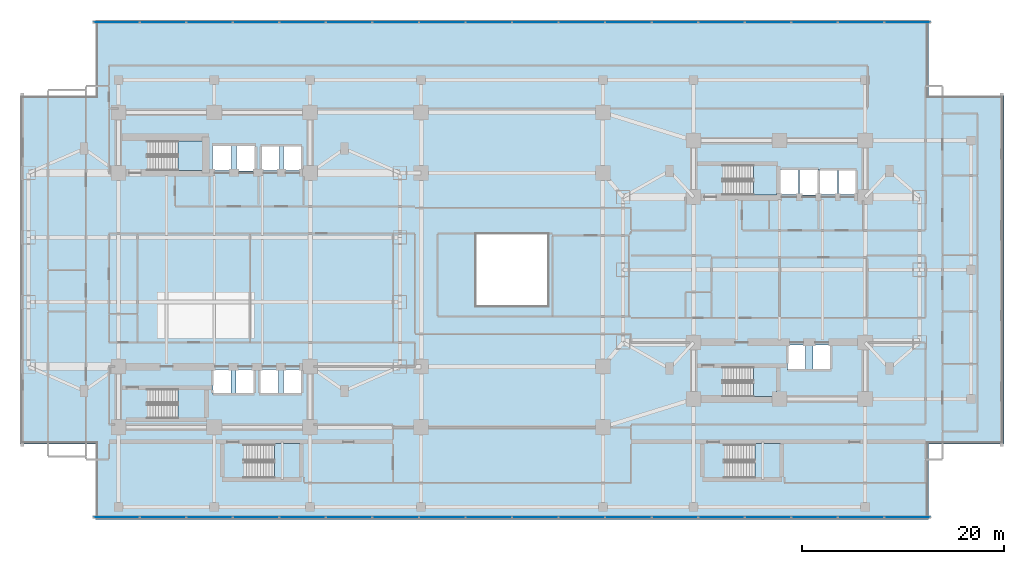
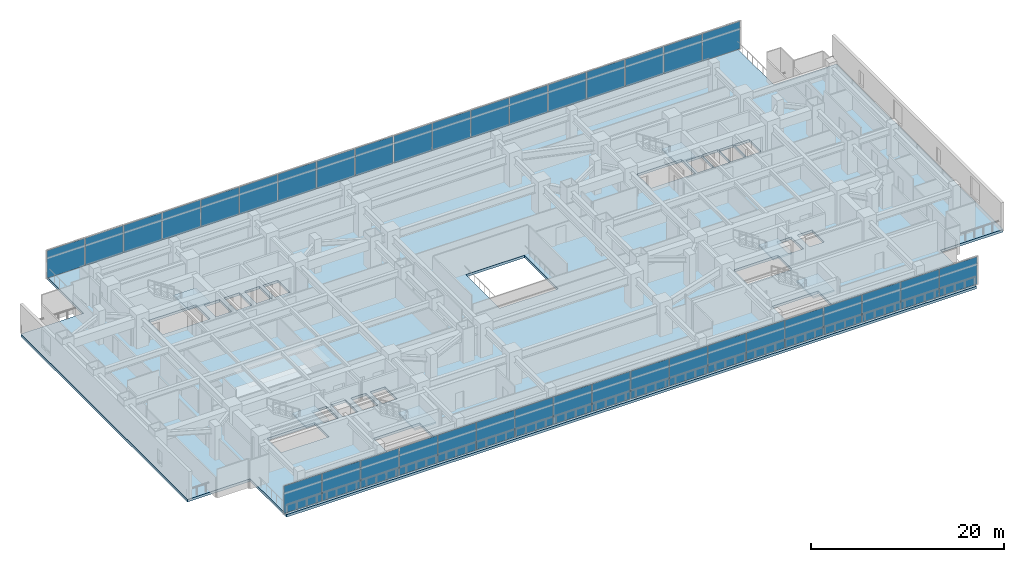
# One storey, part 11 of 26: 36 plates, 7 slabs, 8 elements without a shape of their own.
"""IFC4 building model written with IfcOpenShell, lengths in metres."""

from ifc_helpers import new_model, si_unit, direction, frame, origin, origin_2d, place, context, subcontext, project, spatial, polyline, rectangle, outline, extrude, material, layer, layer_set, type_object, element, aggregate, save


model = new_model("IFC4")

# Units and contexts
model_context = context("Model", 3, precision=1e-05, world=origin(), true_north=direction((0.0, 1.0)))
body_context = subcontext(model_context, "Body", "Model", "MODEL_VIEW")
ifc_project = project(units=[si_unit("LENGTHUNIT", "METRE"), si_unit("AREAUNIT", "SQUARE_METRE"), si_unit("VOLUMEUNIT", "CUBIC_METRE"), si_unit("PLANEANGLEUNIT", "RADIAN"), si_unit("MASSUNIT", "GRAM", prefix="KILO")], contexts=[model_context])

# Site, building, storey
site_placement = place(None, origin())
site = spatial("IfcSite", under=ifc_project, at=site_placement, CompositionType="ELEMENT")
building_placement = place(site_placement, origin())
building = spatial("IfcBuilding", under=site, at=building_placement, Name="Mirazonda Arch Towers", CompositionType="ELEMENT")
storey_placement = place(building_placement, frame((0.0, 0.0, 13.800048828125)))
storey = spatial("IfcBuildingStorey", under=building, at=storey_placement, Name="L03", CompositionType="ELEMENT", Elevation=13.800048828125)

# Curtain wall, plates
ifc_material_1 = material(Name="Anodised Aluminium and Low-E Glass", Category="aluminium")
curtain_wall_type = type_object("IfcCurtainWallType", Name="CW-POD-STORE", PredefinedType="NOTDEFINED", material=ifc_material_1)
curtain_wall_1_placement = place(storey_placement, origin())
curtain_wall_1 = element("IfcCurtainWall", 1, at=curtain_wall_1_placement, inside=storey, type_object=curtain_wall_type, Name="L03 Curtain Wall CW-L03-S1", PredefinedType="NOTDEFINED")
ifc_material_2 = material(Name="Insulated Low-E Solar Glass", Category="glass")
ifc_layer_1 = layer(ifc_material_2, 0.028076171875, Name="PAN-CW-POD-STORE")
ifc_layer_set_1 = layer_set([ifc_layer_1], Name="Insulated Low-E Solar Glass")
plate_type = type_object("IfcPlateType", Name="PAN-CW-POD-STORE", PredefinedType="CURTAIN_PANEL", material=ifc_layer_set_1)
plate_1_placement = place(storey_placement, frame((89.174560546875, 3.469970703125, 0.080078125), z_axis=(0.0, 0.0, 1.0), x_axis=(-1.0, 0.0, 0.0)))
plate_1 = element("IfcPlate", 2, at=plate_1_placement, type_object=plate_type, Name="CW-102 panel 1.1", PredefinedType="CURTAIN_PANEL", context=body_context, shape_type="SweptSolid", body=[
    extrude(rectangle(XDim=4.4912109375, YDim=0.028076171875, at=origin_2d()), origin(), (0.0, 0.0, 1.0), 3.469970703125),
])
plate_2_placement = place(storey_placement, frame((84.583251953125, 3.469970703125, 0.080078125), z_axis=(0.0, 0.0, 1.0), x_axis=(-1.0, 0.0, 0.0)))
plate_2 = element("IfcPlate", 3, at=plate_2_placement, type_object=plate_type, Name="CW-102 panel 2.1", PredefinedType="CURTAIN_PANEL", context=body_context, shape_type="SweptSolid", body=[
    extrude(rectangle(XDim=4.531005859375, YDim=0.028076171875, at=origin_2d()), origin(), (0.0, 0.0, 1.0), 3.469970703125),
])
plate_3_placement = place(storey_placement, frame((79.97216796875, 3.469970703125, 0.080078125), z_axis=(0.0, 0.0, 1.0), x_axis=(-1.0, 0.0, 0.0)))
plate_3 = element("IfcPlate", 4, at=plate_3_placement, type_object=plate_type, Name="CW-102 panel 3.1", PredefinedType="CURTAIN_PANEL", context=body_context, shape_type="SweptSolid", body=[
    extrude(rectangle(XDim=4.531005859375, YDim=0.028076171875, at=origin_2d()), origin(), (0.0, 0.0, 1.0), 3.469970703125),
])
plate_4_placement = place(storey_placement, frame((75.361083984375, 3.469970703125, 0.080078125), z_axis=(0.0, 0.0, 1.0), x_axis=(-1.0, 0.0, 0.0)))
plate_4 = element("IfcPlate", 5, at=plate_4_placement, type_object=plate_type, Name="CW-102 panel 4.1", PredefinedType="CURTAIN_PANEL", context=body_context, shape_type="SweptSolid", body=[
    extrude(rectangle(XDim=4.531005859375, YDim=0.028076171875, at=origin_2d()), origin(), (0.0, 0.0, 1.0), 3.469970703125),
])
plate_5_placement = place(storey_placement, frame((70.75, 3.469970703125, 0.080078125), z_axis=(0.0, 0.0, 1.0), x_axis=(-1.0, 0.0, 0.0)))
plate_5 = element("IfcPlate", 6, at=plate_5_placement, type_object=plate_type, Name="CW-102 panel 5.1", PredefinedType="CURTAIN_PANEL", context=body_context, shape_type="SweptSolid", body=[
    extrude(rectangle(XDim=4.531005859375, YDim=0.028076171875, at=origin_2d()), origin(), (0.0, 0.0, 1.0), 3.469970703125),
])
plate_6_placement = place(storey_placement, frame((66.138916015625, 3.469970703125, 0.080078125), z_axis=(0.0, 0.0, 1.0), x_axis=(-1.0, 0.0, 0.0)))
plate_6 = element("IfcPlate", 7, at=plate_6_placement, type_object=plate_type, Name="CW-102 panel 6.1", PredefinedType="CURTAIN_PANEL", context=body_context, shape_type="SweptSolid", body=[
    extrude(rectangle(XDim=4.531005859375, YDim=0.028076171875, at=origin_2d()), origin(), (0.0, 0.0, 1.0), 3.469970703125),
])
plate_7_placement = place(storey_placement, frame((61.52783203125, 3.469970703125, 0.080078125), z_axis=(0.0, 0.0, 1.0), x_axis=(-1.0, 0.0, 0.0)))
plate_7 = element("IfcPlate", 8, at=plate_7_placement, type_object=plate_type, Name="CW-102 panel 7.1", PredefinedType="CURTAIN_PANEL", context=body_context, shape_type="SweptSolid", body=[
    extrude(rectangle(XDim=4.531005859375, YDim=0.028076171875, at=origin_2d()), origin(), (0.0, 0.0, 1.0), 3.469970703125),
])
plate_8_placement = place(storey_placement, frame((56.916748046875, 3.469970703125, 0.080078125), z_axis=(0.0, 0.0, 1.0), x_axis=(-1.0, 0.0, 0.0)))
plate_8 = element("IfcPlate", 9, at=plate_8_placement, type_object=plate_type, Name="CW-102 panel 8.1", PredefinedType="CURTAIN_PANEL", context=body_context, shape_type="SweptSolid", body=[
    extrude(rectangle(XDim=4.531005859375, YDim=0.028076171875, at=origin_2d()), origin(), (0.0, 0.0, 1.0), 3.469970703125),
])
plate_9_placement = place(storey_placement, frame((52.3056640625, 3.469970703125, 0.080078125), z_axis=(0.0, 0.0, 1.0), x_axis=(-1.0, 0.0, 0.0)))
plate_9 = element("IfcPlate", 10, at=plate_9_placement, type_object=plate_type, Name="CW-102 panel 9.1", PredefinedType="CURTAIN_PANEL", context=body_context, shape_type="SweptSolid", body=[
    extrude(rectangle(XDim=4.531005859375, YDim=0.028076171875, at=origin_2d()), origin(), (0.0, 0.0, 1.0), 3.469970703125),
])
plate_10_placement = place(storey_placement, frame((47.6943359375, 3.469970703125, 0.080078125), z_axis=(0.0, 0.0, 1.0), x_axis=(-1.0, 0.0, 0.0)))
plate_10 = element("IfcPlate", 11, at=plate_10_placement, type_object=plate_type, Name="CW-102 panel 10.1", PredefinedType="CURTAIN_PANEL", context=body_context, shape_type="SweptSolid", body=[
    extrude(rectangle(XDim=4.531005859375, YDim=0.028076171875, at=origin_2d()), origin(), (0.0, 0.0, 1.0), 3.469970703125),
])
plate_11_placement = place(storey_placement, frame((43.083251953125, 3.469970703125, 0.080078125), z_axis=(0.0, 0.0, 1.0), x_axis=(-1.0, 0.0, 0.0)))
plate_11 = element("IfcPlate", 12, at=plate_11_placement, type_object=plate_type, Name="CW-102 panel 11.1", PredefinedType="CURTAIN_PANEL", context=body_context, shape_type="SweptSolid", body=[
    extrude(rectangle(XDim=4.531005859375, YDim=0.028076171875, at=origin_2d()), origin(), (0.0, 0.0, 1.0), 3.469970703125),
])
plate_12_placement = place(storey_placement, frame((38.47216796875, 3.469970703125, 0.080078125), z_axis=(0.0, 0.0, 1.0), x_axis=(-1.0, 0.0, 0.0)))
plate_12 = element("IfcPlate", 13, at=plate_12_placement, type_object=plate_type, Name="CW-102 panel 12.1", PredefinedType="CURTAIN_PANEL", context=body_context, shape_type="SweptSolid", body=[
    extrude(rectangle(XDim=4.531005859375, YDim=0.028076171875, at=origin_2d()), origin(), (0.0, 0.0, 1.0), 3.469970703125),
])
plate_13_placement = place(storey_placement, frame((33.861083984375, 3.469970703125, 0.080078125), z_axis=(0.0, 0.0, 1.0), x_axis=(-1.0, 0.0, 0.0)))
plate_13 = element("IfcPlate", 14, at=plate_13_placement, type_object=plate_type, Name="CW-102 panel 13.1", PredefinedType="CURTAIN_PANEL", context=body_context, shape_type="SweptSolid", body=[
    extrude(rectangle(XDim=4.531005859375, YDim=0.028076171875, at=origin_2d()), origin(), (0.0, 0.0, 1.0), 3.469970703125),
])
plate_14_placement = place(storey_placement, frame((29.25, 3.469970703125, 0.080078125), z_axis=(0.0, 0.0, 1.0), x_axis=(-1.0, 0.0, 0.0)))
plate_14 = element("IfcPlate", 15, at=plate_14_placement, type_object=plate_type, Name="CW-102 panel 14.1", PredefinedType="CURTAIN_PANEL", context=body_context, shape_type="SweptSolid", body=[
    extrude(rectangle(XDim=4.531005859375, YDim=0.028076171875, at=origin_2d()), origin(), (0.0, 0.0, 1.0), 3.469970703125),
])
plate_15_placement = place(storey_placement, frame((24.638916015625, 3.469970703125, 0.080078125), z_axis=(0.0, 0.0, 1.0), x_axis=(-1.0, 0.0, 0.0)))
plate_15 = element("IfcPlate", 16, at=plate_15_placement, type_object=plate_type, Name="CW-102 panel 15.1", PredefinedType="CURTAIN_PANEL", context=body_context, shape_type="SweptSolid", body=[
    extrude(rectangle(XDim=4.531005859375, YDim=0.028076171875, at=origin_2d()), origin(), (0.0, 0.0, 1.0), 3.469970703125),
])
plate_16_placement = place(storey_placement, frame((20.02783203125, 3.469970703125, 0.080078125), z_axis=(0.0, 0.0, 1.0), x_axis=(-1.0, 0.0, 0.0)))
plate_16 = element("IfcPlate", 17, at=plate_16_placement, type_object=plate_type, Name="CW-102 panel 16.1", PredefinedType="CURTAIN_PANEL", context=body_context, shape_type="SweptSolid", body=[
    extrude(rectangle(XDim=4.531005859375, YDim=0.028076171875, at=origin_2d()), origin(), (0.0, 0.0, 1.0), 3.469970703125),
])
plate_17_placement = place(storey_placement, frame((15.416748046875, 3.469970703125, 0.080078125), z_axis=(0.0, 0.0, 1.0), x_axis=(-1.0, 0.0, 0.0)))
plate_17 = element("IfcPlate", 18, at=plate_17_placement, type_object=plate_type, Name="CW-102 panel 17.1", PredefinedType="CURTAIN_PANEL", context=body_context, shape_type="SweptSolid", body=[
    extrude(rectangle(XDim=4.531005859375, YDim=0.028076171875, at=origin_2d()), origin(), (0.0, 0.0, 1.0), 3.469970703125),
])
plate_18_placement = place(storey_placement, frame((10.825439453125, 3.469970703125, 0.080078125), z_axis=(0.0, 0.0, 1.0), x_axis=(-1.0, 0.0, 0.0)))
plate_18 = element("IfcPlate", 19, at=plate_18_placement, type_object=plate_type, Name="CW-102 panel 18.1", PredefinedType="CURTAIN_PANEL", context=body_context, shape_type="SweptSolid", body=[
    extrude(rectangle(XDim=4.4912109375, YDim=0.028076171875, at=origin_2d()), origin(), (0.0, 0.0, 1.0), 3.469970703125),
])
aggregate(curtain_wall_1, [plate_1, plate_2, plate_3, plate_4, plate_5, plate_6, plate_7, plate_8, plate_9, plate_10, plate_11, plate_12, plate_13, plate_14, plate_15, plate_16, plate_17, plate_18])

curtain_wall_2_placement = place(storey_placement, origin())
curtain_wall_2 = element("IfcCurtainWall", 20, at=curtain_wall_2_placement, inside=storey, type_object=curtain_wall_type, Name="L03 Curtain Wall CW-L03-N1", PredefinedType="NOTDEFINED")
plate_19_placement = place(storey_placement, frame((10.825439453125, 52.530029296875, 0.080078125), z_axis=(0.0, 0.0, 1.0), x_axis=(1.0, 0.0, 0.0)))
plate_19 = element("IfcPlate", 21, at=plate_19_placement, type_object=plate_type, Name="CW-102 panel 1.1", PredefinedType="CURTAIN_PANEL", context=body_context, shape_type="SweptSolid", body=[
    extrude(rectangle(XDim=4.4912109375, YDim=0.028076171875, at=origin_2d()), origin(), (0.0, 0.0, 1.0), 3.469970703125),
])
plate_20_placement = place(storey_placement, frame((15.416748046875, 52.530029296875, 0.080078125), z_axis=(0.0, 0.0, 1.0), x_axis=(1.0, 0.0, 0.0)))
plate_20 = element("IfcPlate", 22, at=plate_20_placement, type_object=plate_type, Name="CW-102 panel 2.1", PredefinedType="CURTAIN_PANEL", context=body_context, shape_type="SweptSolid", body=[
    extrude(rectangle(XDim=4.531005859375, YDim=0.028076171875, at=origin_2d()), origin(), (0.0, 0.0, 1.0), 3.469970703125),
])
plate_21_placement = place(storey_placement, frame((20.02783203125, 52.530029296875, 0.080078125), z_axis=(0.0, 0.0, 1.0), x_axis=(1.0, 0.0, 0.0)))
plate_21 = element("IfcPlate", 23, at=plate_21_placement, type_object=plate_type, Name="CW-102 panel 3.1", PredefinedType="CURTAIN_PANEL", context=body_context, shape_type="SweptSolid", body=[
    extrude(rectangle(XDim=4.531005859375, YDim=0.028076171875, at=origin_2d()), origin(), (0.0, 0.0, 1.0), 3.469970703125),
])
plate_22_placement = place(storey_placement, frame((24.638916015625, 52.530029296875, 0.080078125), z_axis=(0.0, 0.0, 1.0), x_axis=(1.0, 0.0, 0.0)))
plate_22 = element("IfcPlate", 24, at=plate_22_placement, type_object=plate_type, Name="CW-102 panel 4.1", PredefinedType="CURTAIN_PANEL", context=body_context, shape_type="SweptSolid", body=[
    extrude(rectangle(XDim=4.531005859375, YDim=0.028076171875, at=origin_2d()), origin(), (0.0, 0.0, 1.0), 3.469970703125),
])
plate_23_placement = place(storey_placement, frame((29.25, 52.530029296875, 0.080078125), z_axis=(0.0, 0.0, 1.0), x_axis=(1.0, 0.0, 0.0)))
plate_23 = element("IfcPlate", 25, at=plate_23_placement, type_object=plate_type, Name="CW-102 panel 5.1", PredefinedType="CURTAIN_PANEL", context=body_context, shape_type="SweptSolid", body=[
    extrude(rectangle(XDim=4.531005859375, YDim=0.028076171875, at=origin_2d()), origin(), (0.0, 0.0, 1.0), 3.469970703125),
])
plate_24_placement = place(storey_placement, frame((33.861083984375, 52.530029296875, 0.080078125), z_axis=(0.0, 0.0, 1.0), x_axis=(1.0, 0.0, 0.0)))
plate_24 = element("IfcPlate", 26, at=plate_24_placement, type_object=plate_type, Name="CW-102 panel 6.1", PredefinedType="CURTAIN_PANEL", context=body_context, shape_type="SweptSolid", body=[
    extrude(rectangle(XDim=4.531005859375, YDim=0.028076171875, at=origin_2d()), origin(), (0.0, 0.0, 1.0), 3.469970703125),
])
plate_25_placement = place(storey_placement, frame((38.47216796875, 52.530029296875, 0.080078125), z_axis=(0.0, 0.0, 1.0), x_axis=(1.0, 0.0, 0.0)))
plate_25 = element("IfcPlate", 27, at=plate_25_placement, type_object=plate_type, Name="CW-102 panel 7.1", PredefinedType="CURTAIN_PANEL", context=body_context, shape_type="SweptSolid", body=[
    extrude(rectangle(XDim=4.531005859375, YDim=0.028076171875, at=origin_2d()), origin(), (0.0, 0.0, 1.0), 3.469970703125),
])
plate_26_placement = place(storey_placement, frame((43.083251953125, 52.530029296875, 0.080078125), z_axis=(0.0, 0.0, 1.0), x_axis=(1.0, 0.0, 0.0)))
plate_26 = element("IfcPlate", 28, at=plate_26_placement, type_object=plate_type, Name="CW-102 panel 8.1", PredefinedType="CURTAIN_PANEL", context=body_context, shape_type="SweptSolid", body=[
    extrude(rectangle(XDim=4.531005859375, YDim=0.028076171875, at=origin_2d()), origin(), (0.0, 0.0, 1.0), 3.469970703125),
])
plate_27_placement = place(storey_placement, frame((47.6943359375, 52.530029296875, 0.080078125), z_axis=(0.0, 0.0, 1.0), x_axis=(1.0, 0.0, 0.0)))
plate_27 = element("IfcPlate", 29, at=plate_27_placement, type_object=plate_type, Name="CW-102 panel 9.1", PredefinedType="CURTAIN_PANEL", context=body_context, shape_type="SweptSolid", body=[
    extrude(rectangle(XDim=4.531005859375, YDim=0.028076171875, at=origin_2d()), origin(), (0.0, 0.0, 1.0), 3.469970703125),
])
plate_28_placement = place(storey_placement, frame((52.3056640625, 52.530029296875, 0.080078125), z_axis=(0.0, 0.0, 1.0), x_axis=(1.0, 0.0, 0.0)))
plate_28 = element("IfcPlate", 30, at=plate_28_placement, type_object=plate_type, Name="CW-102 panel 10.1", PredefinedType="CURTAIN_PANEL", context=body_context, shape_type="SweptSolid", body=[
    extrude(rectangle(XDim=4.531005859375, YDim=0.028076171875, at=origin_2d()), origin(), (0.0, 0.0, 1.0), 3.469970703125),
])
plate_29_placement = place(storey_placement, frame((56.916748046875, 52.530029296875, 0.080078125), z_axis=(0.0, 0.0, 1.0), x_axis=(1.0, 0.0, 0.0)))
plate_29 = element("IfcPlate", 31, at=plate_29_placement, type_object=plate_type, Name="CW-102 panel 11.1", PredefinedType="CURTAIN_PANEL", context=body_context, shape_type="SweptSolid", body=[
    extrude(rectangle(XDim=4.531005859375, YDim=0.028076171875, at=origin_2d()), origin(), (0.0, 0.0, 1.0), 3.469970703125),
])
plate_30_placement = place(storey_placement, frame((61.52783203125, 52.530029296875, 0.080078125), z_axis=(0.0, 0.0, 1.0), x_axis=(1.0, 0.0, 0.0)))
plate_30 = element("IfcPlate", 32, at=plate_30_placement, type_object=plate_type, Name="CW-102 panel 12.1", PredefinedType="CURTAIN_PANEL", context=body_context, shape_type="SweptSolid", body=[
    extrude(rectangle(XDim=4.531005859375, YDim=0.028076171875, at=origin_2d()), origin(), (0.0, 0.0, 1.0), 3.469970703125),
])
plate_31_placement = place(storey_placement, frame((66.138916015625, 52.530029296875, 0.080078125), z_axis=(0.0, 0.0, 1.0), x_axis=(1.0, 0.0, 0.0)))
plate_31 = element("IfcPlate", 33, at=plate_31_placement, type_object=plate_type, Name="CW-102 panel 13.1", PredefinedType="CURTAIN_PANEL", context=body_context, shape_type="SweptSolid", body=[
    extrude(rectangle(XDim=4.531005859375, YDim=0.028076171875, at=origin_2d()), origin(), (0.0, 0.0, 1.0), 3.469970703125),
])
plate_32_placement = place(storey_placement, frame((70.75, 52.530029296875, 0.080078125), z_axis=(0.0, 0.0, 1.0), x_axis=(1.0, 0.0, 0.0)))
plate_32 = element("IfcPlate", 34, at=plate_32_placement, type_object=plate_type, Name="CW-102 panel 14.1", PredefinedType="CURTAIN_PANEL", context=body_context, shape_type="SweptSolid", body=[
    extrude(rectangle(XDim=4.531005859375, YDim=0.028076171875, at=origin_2d()), origin(), (0.0, 0.0, 1.0), 3.469970703125),
])
plate_33_placement = place(storey_placement, frame((75.361083984375, 52.530029296875, 0.080078125), z_axis=(0.0, 0.0, 1.0), x_axis=(1.0, 0.0, 0.0)))
plate_33 = element("IfcPlate", 35, at=plate_33_placement, type_object=plate_type, Name="CW-102 panel 15.1", PredefinedType="CURTAIN_PANEL", context=body_context, shape_type="SweptSolid", body=[
    extrude(rectangle(XDim=4.531005859375, YDim=0.028076171875, at=origin_2d()), origin(), (0.0, 0.0, 1.0), 3.469970703125),
])
plate_34_placement = place(storey_placement, frame((79.97216796875, 52.530029296875, 0.080078125), z_axis=(0.0, 0.0, 1.0), x_axis=(1.0, 0.0, 0.0)))
plate_34 = element("IfcPlate", 36, at=plate_34_placement, type_object=plate_type, Name="CW-102 panel 16.1", PredefinedType="CURTAIN_PANEL", context=body_context, shape_type="SweptSolid", body=[
    extrude(rectangle(XDim=4.531005859375, YDim=0.028076171875, at=origin_2d()), origin(), (0.0, 0.0, 1.0), 3.469970703125),
])
plate_35_placement = place(storey_placement, frame((84.583251953125, 52.530029296875, 0.080078125), z_axis=(0.0, 0.0, 1.0), x_axis=(1.0, 0.0, 0.0)))
plate_35 = element("IfcPlate", 37, at=plate_35_placement, type_object=plate_type, Name="CW-102 panel 17.1", PredefinedType="CURTAIN_PANEL", context=body_context, shape_type="SweptSolid", body=[
    extrude(rectangle(XDim=4.531005859375, YDim=0.028076171875, at=origin_2d()), origin(), (0.0, 0.0, 1.0), 3.469970703125),
])
plate_36_placement = place(storey_placement, frame((89.174560546875, 52.530029296875, 0.080078125), z_axis=(0.0, 0.0, 1.0), x_axis=(1.0, 0.0, 0.0)))
plate_36 = element("IfcPlate", 38, at=plate_36_placement, type_object=plate_type, Name="CW-102 panel 18.1", PredefinedType="CURTAIN_PANEL", context=body_context, shape_type="SweptSolid", body=[
    extrude(rectangle(XDim=4.4912109375, YDim=0.028076171875, at=origin_2d()), origin(), (0.0, 0.0, 1.0), 3.469970703125),
])
aggregate(curtain_wall_2, [plate_19, plate_20, plate_21, plate_22, plate_23, plate_24, plate_25, plate_26, plate_27, plate_28, plate_29, plate_30, plate_31, plate_32, plate_33, plate_34, plate_35, plate_36])

# Stair, slab
ifc_material_3 = material(Name="Concrete C40/50", Category="concrete")
stair_type_1 = type_object("IfcStairType", Name="STAIR-CORE-1400", PredefinedType="HALF_TURN_STAIR", material=ifc_material_3)
stair_1_placement = place(storey_placement, origin())
stair_1 = element("IfcStair", 39, at=stair_1_placement, inside=storey, type_object=stair_type_1, Name="L03 Protected Exit Stair ST-T1N", PredefinedType="HALF_TURN_STAIR")
ifc_layer_2 = layer(ifc_material_3, 0.18994140625, Name="SLAB-LANDING-190")
ifc_layer_set_2 = layer_set([ifc_layer_2], Name="Concrete C40/50")
slab_type_1 = type_object("IfcSlabType", Name="SLAB-LANDING-190", PredefinedType="LANDING", material=ifc_layer_set_2)
slab_1_placement = place(storey_placement, frame((0.0, 0.0, 1.949951171875)))
slab_1 = element("IfcSlab", 40, at=slab_1_placement, type_object=slab_type_1, Name="ST-T1N landing 1", PredefinedType="LANDING", context=body_context, shape_type="SweptSolid", body=[
    extrude(outline(polyline([(16.929931640625, 37.820068359375), (19.60009765625, 37.820068359375), (19.60009765625, 40.760009765625), (16.929931640625, 40.760009765625), (16.929931640625, 37.820068359375)])), origin(), (0.0, 0.0, 1.0), 0.199951171875),
])
aggregate(stair_1, [slab_1])

stair_2_placement = place(storey_placement, origin())
stair_2 = element("IfcStair", 41, at=stair_2_placement, inside=storey, type_object=stair_type_1, Name="L03 Protected Exit Stair ST-T1S", PredefinedType="HALF_TURN_STAIR")
slab_2_placement = place(storey_placement, frame((0.0, 0.0, 1.949951171875)))
slab_2 = element("IfcSlab", 42, at=slab_2_placement, type_object=slab_type_1, Name="ST-T1S landing 1", PredefinedType="LANDING", context=body_context, shape_type="SweptSolid", body=[
    extrude(outline(polyline([(16.929931640625, 13.25), (19.60009765625, 13.25), (19.60009765625, 16.18994140625), (16.929931640625, 16.18994140625), (16.929931640625, 13.25)])), origin(), (0.0, 0.0, 1.0), 0.199951171875),
])
aggregate(stair_2, [slab_2])

stair_3_placement = place(storey_placement, origin())
stair_3 = element("IfcStair", 43, at=stair_3_placement, inside=storey, type_object=stair_type_1, Name="L03 Protected Exit Stair ST-T2N", PredefinedType="HALF_TURN_STAIR")
slab_3_placement = place(storey_placement, frame((0.0, 0.0, 1.949951171875)))
slab_3 = element("IfcSlab", 44, at=slab_3_placement, type_object=slab_type_1, Name="ST-T2N landing 1", PredefinedType="LANDING", context=body_context, shape_type="SweptSolid", body=[
    extrude(outline(polyline([(73.929931640625, 35.419921875), (76.22998046875, 35.419921875), (76.22998046875, 38.360107421875), (73.929931640625, 38.360107421875), (73.929931640625, 35.419921875)])), origin(), (0.0, 0.0, 1.0), 0.199951171875),
])
aggregate(stair_3, [slab_3])

stair_4_placement = place(storey_placement, origin())
stair_4 = element("IfcStair", 45, at=stair_4_placement, inside=storey, type_object=stair_type_1, Name="L03 Protected Exit Stair ST-T2S", PredefinedType="HALF_TURN_STAIR")
slab_4_placement = place(storey_placement, frame((0.0, 0.0, 1.949951171875)))
slab_4 = element("IfcSlab", 46, at=slab_4_placement, type_object=slab_type_1, Name="ST-T2S landing 1", PredefinedType="LANDING", context=body_context, shape_type="SweptSolid", body=[
    extrude(outline(polyline([(73.929931640625, 15.419921875), (76.22998046875, 15.419921875), (76.22998046875, 18.360107421875), (73.929931640625, 18.360107421875), (73.929931640625, 15.419921875)])), origin(), (0.0, 0.0, 1.0), 0.199951171875),
])
aggregate(stair_4, [slab_4])

stair_type_2 = type_object("IfcStairType", Name="STAIR-POD-1600", PredefinedType="HALF_TURN_STAIR", material=ifc_material_3)
stair_5_placement = place(storey_placement, origin())
stair_5 = element("IfcStair", 47, at=stair_5_placement, inside=storey, type_object=stair_type_2, Name="L03 Protected Exit Stair ST-POD1", PredefinedType="HALF_TURN_STAIR")
slab_5_placement = place(storey_placement, frame((0.0, 0.0, 1.949951171875)))
slab_5 = element("IfcSlab", 48, at=slab_5_placement, type_object=slab_type_1, Name="ST-POD1 landing 1", PredefinedType="LANDING", context=body_context, shape_type="SweptSolid", body=[
    extrude(outline(polyline([(26.47998046875, 7.35009765625), (29.0, 7.35009765625), (29.0, 10.800048828125), (26.47998046875, 10.800048828125), (26.47998046875, 7.35009765625)])), origin(), (0.0, 0.0, 1.0), 0.199951171875),
])
aggregate(stair_5, [slab_5])

stair_6_placement = place(storey_placement, origin())
stair_6 = element("IfcStair", 49, at=stair_6_placement, inside=storey, type_object=stair_type_2, Name="L03 Protected Exit Stair ST-POD2", PredefinedType="HALF_TURN_STAIR")
slab_6_placement = place(storey_placement, frame((0.0, 0.0, 1.949951171875)))
slab_6 = element("IfcSlab", 50, at=slab_6_placement, type_object=slab_type_1, Name="ST-POD2 landing 1", PredefinedType="LANDING", context=body_context, shape_type="SweptSolid", body=[
    extrude(outline(polyline([(74.080078125, 7.35009765625), (76.60009765625, 7.35009765625), (76.60009765625, 10.800048828125), (74.080078125, 10.800048828125), (74.080078125, 7.35009765625)])), origin(), (0.0, 0.0, 1.0), 0.199951171875),
])
aggregate(stair_6, [slab_6])

# Slab
ifc_layer_3 = layer(ifc_material_3, 0.320068359375, Name="SLAB-POD-320")
ifc_layer_set_3 = layer_set([ifc_layer_3], Name="Concrete C40/50")
slab_type_2 = type_object("IfcSlabType", Name="SLAB-POD-320", PredefinedType="FLOOR", material=ifc_layer_set_3)
slab_7_placement = place(storey_placement, frame((0.0, 0.0, -0.320068359375)))
element("IfcSlab", 51, at=slab_7_placement, inside=storey, type_object=slab_type_2, Name="L03 Bridged Podium Slab", PredefinedType="FLOOR", context=body_context, shape_type="SweptSolid", body=[
    extrude(outline(polyline([(8.75, 3.25), (91.25, 3.25), (91.25, 10.75), (98.75, 10.75), (98.75, 45.25), (91.25, 45.25), (91.25, 52.75), (8.75, 52.75), (8.75, 45.25), (1.25, 45.25), (1.25, 10.75), (8.75, 10.75), (8.75, 3.25)]), holes=[polyline([(84.110107421875, 35.4599609375), (82.330078125, 35.4599609375), (82.330078125, 37.93994140625), (84.110107421875, 37.93994140625), (84.110107421875, 35.4599609375)]), polyline([(82.22998046875, 37.93994140625), (82.22998046875, 35.4599609375), (80.449951171875, 35.4599609375), (80.449951171875, 37.93994140625), (82.22998046875, 37.93994140625)]), polyline([(81.590087890625, 18.06005859375), (79.81005859375, 18.06005859375), (79.81005859375, 20.5400390625), (81.590087890625, 20.5400390625), (81.590087890625, 18.06005859375)]), polyline([(80.360107421875, 35.409912109375), (78.47998046875, 35.409912109375), (78.47998046875, 37.989990234375), (80.360107421875, 37.989990234375), (80.360107421875, 35.409912109375)]), polyline([(79.090087890625, 18.06005859375), (77.31005859375, 18.06005859375), (77.31005859375, 20.5400390625), (79.090087890625, 20.5400390625), (79.090087890625, 18.06005859375)]), polyline([(78.389892578125, 35.4599609375), (76.510009765625, 35.4599609375), (76.510009765625, 37.93994140625), (78.389892578125, 37.93994140625), (78.389892578125, 35.4599609375)]), polyline([(71.074951171875, 10.68994140625), (76.60009765625, 10.68994140625), (76.60009765625, 7.35009765625), (71.074951171875, 7.35009765625), (71.074951171875, 10.68994140625)]), polyline([(76.22998046875, 38.360107421875), (76.22998046875, 35.419921875), (70.925048828125, 35.419921875), (70.925048828125, 38.360107421875), (76.22998046875, 38.360107421875)]), polyline([(70.925048828125, 18.360107421875), (76.22998046875, 18.360107421875), (76.22998046875, 15.419921875), (70.925048828125, 15.419921875), (70.925048828125, 18.360107421875)]), polyline([(53.5, 31.5), (53.5, 24.5), (46.5, 24.5), (46.5, 31.5), (53.5, 31.5)]), polyline([(29.139892578125, 37.860107421875), (27.360107421875, 37.860107421875), (27.360107421875, 40.340087890625), (29.139892578125, 40.340087890625), (29.139892578125, 37.860107421875)]), polyline([(29.139892578125, 18.139892578125), (29.139892578125, 15.659912109375), (27.360107421875, 15.659912109375), (27.360107421875, 18.139892578125), (29.139892578125, 18.139892578125)]), polyline([(23.47509765625, 10.68994140625), (29.0, 10.68994140625), (29.0, 7.35009765625), (23.47509765625, 7.35009765625), (23.47509765625, 10.68994140625)]), polyline([(26.93994140625, 37.860107421875), (25.159912109375, 37.860107421875), (25.159912109375, 40.340087890625), (26.93994140625, 40.340087890625), (26.93994140625, 37.860107421875)]), polyline([(26.840087890625, 15.659912109375), (25.06005859375, 15.659912109375), (25.06005859375, 18.139892578125), (26.840087890625, 18.139892578125), (26.840087890625, 15.659912109375)]), polyline([(24.590087890625, 40.389892578125), (24.590087890625, 37.81005859375), (22.7099609375, 37.81005859375), (22.7099609375, 40.389892578125), (24.590087890625, 40.389892578125)]), polyline([(24.43994140625, 15.659912109375), (22.659912109375, 15.659912109375), (22.659912109375, 18.139892578125), (24.43994140625, 18.139892578125), (24.43994140625, 15.659912109375)]), polyline([(22.18994140625, 40.340087890625), (22.18994140625, 37.860107421875), (20.31005859375, 37.860107421875), (20.31005859375, 40.340087890625), (22.18994140625, 40.340087890625)]), polyline([(22.139892578125, 18.139892578125), (22.139892578125, 15.659912109375), (20.360107421875, 15.659912109375), (20.360107421875, 18.139892578125), (22.139892578125, 18.139892578125)]), polyline([(13.925048828125, 40.760009765625), (19.60009765625, 40.760009765625), (19.60009765625, 37.820068359375), (13.925048828125, 37.820068359375), (13.925048828125, 40.760009765625)]), polyline([(13.925048828125, 16.18994140625), (19.60009765625, 16.18994140625), (19.60009765625, 13.25), (13.925048828125, 13.25), (13.925048828125, 16.18994140625)])]), origin(), (0.0, 0.0, 1.0), 0.320068359375),
])

save(model, "model.ifc")
